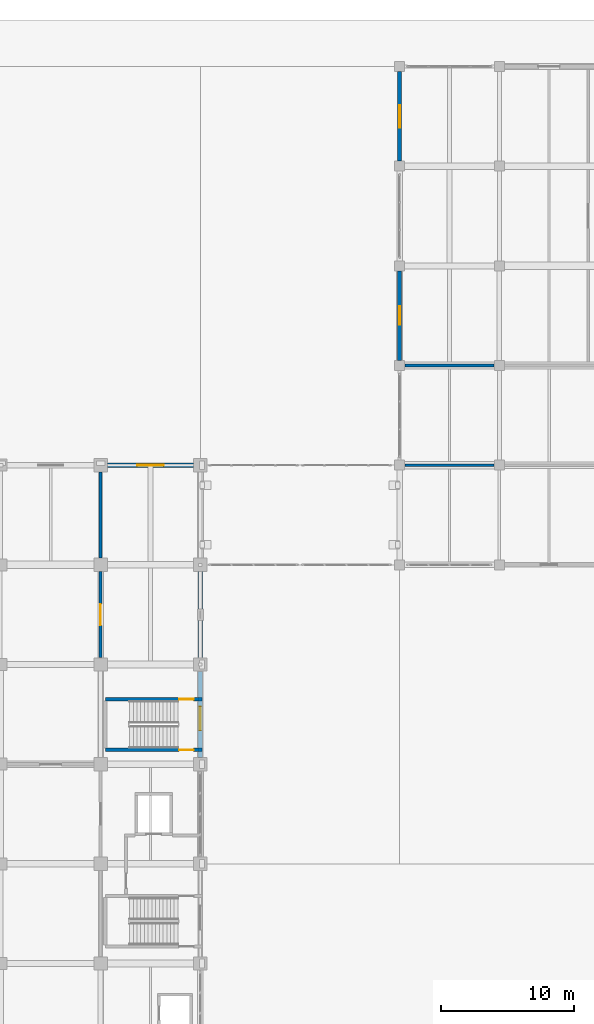
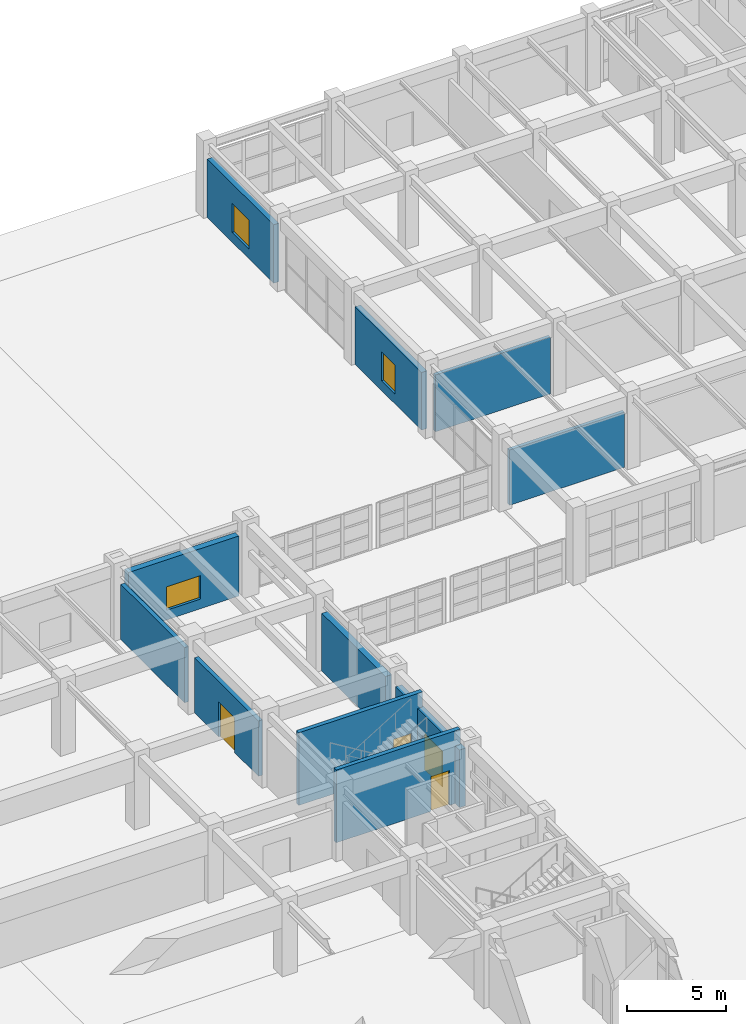
# One storey, part 93 of 122: 11 walls, 4 doors, 3 windows, 7 openings.
"""IFC4 building model written with IfcOpenShell, lengths in metres."""

import ifcopenshell
import ifcopenshell.guid

model = None  # the IFC model being written
_history = None  # IfcOwnerHistory: only IFC2X3 demands one
_inside = {}  # id of a spatial element -> (the spatial element, [elements in it])
_under = {}  # id of a project, library or spatial element -> (it, [spatial elements below it])
_declared = {}  # id of a project -> (the project, [libraries it declares])
_typed = {}  # id of a type object -> (the type object, [elements of that type])
_made_of = {}  # id of a material, layer set ... -> (it, [elements and type objects made of it])


def new_model(schema):
    """Start an empty IFC model of exactly this schema.

    Asked for "IFC4X3", IfcOpenShell would pick the latest addendum, in which some entities
    have other attributes; the version numbers below select the first issue.
    IFC2X3 requires an IfcOwnerHistory on every rooted entity: one is made here for all.
    """
    global model, _history
    if schema == "IFC4X3":
        model = ifcopenshell.file(schema_version=(4, 3, 0, 0))
    else:
        model = ifcopenshell.file(schema=schema)
    _inside.clear()
    _under.clear()
    _declared.clear()
    _typed.clear()
    _made_of.clear()
    _history = None
    if model.schema == "IFC2X3":
        org = make("IfcOrganization", Name="unknown")
        user = make(
            "IfcPersonAndOrganization",
            ThePerson=make("IfcPerson", FamilyName="unknown"),
            TheOrganization=org,
        )
        app = make(
            "IfcApplication",
            ApplicationDeveloper=org,
            Version="unknown",
            ApplicationFullName="unknown",
            ApplicationIdentifier="unknown",
        )
        _history = make(
            "IfcOwnerHistory",
            OwningUser=user,
            OwningApplication=app,
            ChangeAction="ADDED",
            CreationDate=0,
        )
    return model


def make(cls, **values):
    """One entity of the class cls with the attributes given. An attribute that is None is left unset."""
    return model.create_entity(
        cls, **{name: value for name, value in values.items() if value is not None}
    )


def rooted(cls, **values):
    """An entity with a GlobalId (a new one), such as an element, a storey or a relation."""
    return make(cls, GlobalId=ifcopenshell.guid.new(), OwnerHistory=_history, **values)


def si_unit(unit_type, name, prefix=None):
    """IfcSIUnit, for example si_unit("LENGTHUNIT", "METRE", prefix="MILLI")."""
    return make("IfcSIUnit", UnitType=unit_type, Prefix=prefix, Name=name)


def assignment(units):
    """IfcUnitAssignment: the units of a project."""
    return None if units is None else make("IfcUnitAssignment", Units=units)


def point(xyz):
    """IfcCartesianPoint."""
    return None if xyz is None else make("IfcCartesianPoint", Coordinates=xyz)


def direction(xyz):
    """IfcDirection."""
    return None if xyz is None else make("IfcDirection", DirectionRatios=xyz)


def frame(location, z_axis=None, x_axis=None):
    """IfcAxis2Placement3D, a coordinate frame: its origin and axes. An axis left out is left unset."""
    return make(
        "IfcAxis2Placement3D",
        Location=point(location),
        Axis=direction(z_axis),
        RefDirection=direction(x_axis),
    )


def frame_2d(location, x_axis=None):
    """IfcAxis2Placement2D, a coordinate frame in the plane: its origin and x axis."""
    return make(
        "IfcAxis2Placement2D", Location=point(location), RefDirection=direction(x_axis)
    )


def origin():
    """The frame at (0, 0, 0) with its axes left unset."""
    return frame((0.0, 0.0, 0.0))


def place(relative_to, where):
    """IfcLocalPlacement: puts the frame where relative to a parent placement (None: the world)."""
    return make(
        "IfcLocalPlacement", PlacementRelTo=relative_to, RelativePlacement=where
    )


def context(
    kind, dimensions, precision=None, world=None, true_north=None, identifier=None
):
    """IfcGeometricRepresentationContext, for example the 3D "Model" context."""
    return make(
        "IfcGeometricRepresentationContext",
        ContextIdentifier=identifier,
        ContextType=kind,
        CoordinateSpaceDimension=dimensions,
        Precision=precision,
        WorldCoordinateSystem=world,
        TrueNorth=true_north,
    )


def subcontext(parent, identifier, kind, view, scale=None):
    """IfcGeometricRepresentationSubContext, for example "Body" below "Model"."""
    return make(
        "IfcGeometricRepresentationSubContext",
        ContextIdentifier=identifier,
        ContextType=kind,
        ParentContext=parent,
        TargetScale=scale,
        TargetView=view,
    )


def project(units=None, contexts=None):
    """IfcProject with its units and contexts."""
    return rooted(
        "IfcProject",
        Name="project",
        RepresentationContexts=contexts,
        UnitsInContext=assignment(units),
    )


def spatial(cls, under=None, at=None, **own):
    """A site, building, storey or space (cls), placed at a placement, below another one or the project."""
    s = rooted(cls, ObjectPlacement=at, **own)
    if under is not None:
        _under.setdefault(under.id(), (under, []))[1].append(s)
    return s


def profile(cls, at=None, kind="AREA", **sizes):
    """A parametric profile (cls). Its sizes go by their IFC names, for example OverallWidth=200.0."""
    return make(cls, ProfileType=kind, Position=at, **sizes)


def rectangle(**sizes):
    """IfcRectangleProfileDef."""
    return profile("IfcRectangleProfileDef", **sizes)


def extrude(swept, where, along, depth):
    """IfcExtrudedAreaSolid: the profile swept, set in the frame where, extruded along a direction by depth."""
    return make(
        "IfcExtrudedAreaSolid",
        SweptArea=swept,
        Position=where,
        ExtrudedDirection=direction(along),
        Depth=depth,
    )


def shape(context_of_items, identifier, shape_type, items):
    """IfcShapeRepresentation: the items that make up one representation, for example the "Body"."""
    return make(
        "IfcShapeRepresentation",
        ContextOfItems=context_of_items,
        RepresentationIdentifier=identifier,
        RepresentationType=shape_type,
        Items=items,
    )


def material(Name=None, Category=None):
    """IfcMaterial."""
    return make("IfcMaterial", Name=Name, Category=Category)


def layer(
    of_material, thickness, ventilated=None, Name=None, Category=None, Priority=None
):
    """IfcMaterialLayer: one layer of a wall or slab, of a material (None: an air gap)."""
    return make(
        "IfcMaterialLayer",
        Material=of_material,
        LayerThickness=thickness,
        IsVentilated=ventilated,
        Name=Name,
        Category=Category,
        Priority=Priority,
    )


def layer_set(layers, Name=None):
    """IfcMaterialLayerSet."""
    return make("IfcMaterialLayerSet", MaterialLayers=layers, LayerSetName=Name)


def made_of(thing, what):
    """Note that an element or type object is made of a material, layer set ...; save() writes the relation."""
    if what is not None:
        _made_of.setdefault(what.id(), (what, []))[1].append(thing)
    return thing


def type_object(cls, material=None, **own):
    """A type object (cls), such as IfcWallType, which elements share."""
    return made_of(rooted(cls, **own), material)


def element(
    cls,
    number,
    at=None,
    inside=None,
    cuts=None,
    type_object=None,
    material=None,
    context=None,
    identifier="Body",
    shape_type=None,
    held_by="IfcProductDefinitionShape",
    body=None,
    shapes=None,
    **own,
):
    """One element of the class cls, such as IfcWall. Its Tag is "e" and its number.

    at: its placement. inside: the storey or other place that contains it. cuts: it is an
    opening in that element (IfcRelVoidsElement). A single representation is given by context,
    identifier, shape_type and body (its items); several are given by shapes. held_by: the class
    of the entity that holds the representations. save() writes the other relations.
    """
    e = rooted(cls, Tag="e%d" % number, ObjectPlacement=at, **own)
    if body is not None:
        shapes = [shape(context, identifier, shape_type, body)]
    if shapes is not None:
        e.Representation = make(held_by, Representations=shapes)
    if inside is not None:
        _inside.setdefault(inside.id(), (inside, []))[1].append(e)
    if cuts is not None:
        rooted(
            "IfcRelVoidsElement", RelatingBuildingElement=cuts, RelatedOpeningElement=e
        )
    if type_object is not None:
        _typed.setdefault(type_object.id(), (type_object, []))[1].append(e)
    return made_of(e, material)


def fill(opening, filler):
    """IfcRelFillsElement: the door or window that sits in an opening."""
    return rooted(
        "IfcRelFillsElement",
        RelatingOpeningElement=opening,
        RelatedBuildingElement=filler,
    )


def aggregate(whole, parts):
    """IfcRelAggregates: a whole, such as a stair, and the parts it consists of."""
    return rooted("IfcRelAggregates", RelatingObject=whole, RelatedObjects=parts)


def save(model, path):
    """Write the relations noted so far, then the file.

    IfcRelAggregates (storeys below a building ...), IfcRelContainedInSpatialStructure (elements
    in a storey), IfcRelDefinesByType, IfcRelAssociatesMaterial and IfcRelDeclares: one each for
    every whole, place, type object, material and project.
    """
    for whole, parts in _under.values():
        aggregate(whole, parts)
    for where, things in _inside.values():
        rooted(
            "IfcRelContainedInSpatialStructure",
            RelatedElements=things,
            RelatingStructure=where,
        )
    for kind, things in _typed.values():
        rooted("IfcRelDefinesByType", RelatedObjects=things, RelatingType=kind)
    for what, things in _made_of.values():
        rooted("IfcRelAssociatesMaterial", RelatedObjects=things, RelatingMaterial=what)
    for by, libraries in _declared.values():
        rooted("IfcRelDeclares", RelatingContext=by, RelatedDefinitions=libraries)
    model.write(path)


model = new_model("IFC4")

# Units and contexts
model_context = context("Model", 3, precision=1e-05, world=origin(), true_north=direction((0.0, 1.0)))
body_context = subcontext(model_context, "Body", "Model", "MODEL_VIEW")
ifc_project = project(units=[si_unit("LENGTHUNIT", "METRE"), si_unit("AREAUNIT", "SQUARE_METRE"), si_unit("VOLUMEUNIT", "CUBIC_METRE"), si_unit("PLANEANGLEUNIT", "RADIAN"), si_unit("MASSUNIT", "GRAM", prefix="KILO")], contexts=[model_context])

# Site, building, storey
site_placement = place(None, origin())
site = spatial("IfcSite", under=ifc_project, at=site_placement, CompositionType="ELEMENT")
building_placement = place(site_placement, origin())
building = spatial("IfcBuilding", under=site, at=building_placement, Name="Qasida Concert Hall", CompositionType="ELEMENT")
storey_placement = place(building_placement, origin())
storey = spatial("IfcBuildingStorey", under=building, at=storey_placement, Name="L00", CompositionType="ELEMENT", Elevation=0.0)

# Wall, opening, door
ifc_material_1 = material(Name="Concrete C40/50", Category="concrete")
ifc_layer_1 = layer(ifc_material_1, 0.25, Name="Concrete C40/50")
ifc_layer_set_1 = layer_set([ifc_layer_1], Name="Concrete C40/50")
wall_type_1 = type_object("IfcWallType", Name="WL-CW-250", PredefinedType="SOLIDWALL", material=ifc_layer_set_1)
wall_1_placement = place(storey_placement, frame((97.860107421875, 61.074951171875, 0.0), z_axis=(0.0, 0.0, 1.0), x_axis=(1.0, 0.0, 0.0)))
wall_1 = element("IfcWall", 1, at=wall_1_placement, inside=storey, type_object=wall_type_1, Name="L00 ST-12 stairwell wall S", PredefinedType="SOLIDWALL", context=body_context, shape_type="SweptSolid", body=[
    extrude(rectangle(XDim=7.260009765625, YDim=0.25, at=frame_2d((3.6298828125, 0.0))), origin(), (0.0, 0.0, 1.0), 4.5),
])
opening_1_placement = place(wall_1_placement, frame((5.5400390625, 0.0, 0.0)))
opening_1 = element("IfcOpeningElement", 2, at=opening_1_placement, cuts=wall_1, Name="Opening FD-110", PredefinedType="OPENING", context=body_context, shape_type="SweptSolid", body=[
    extrude(rectangle(XDim=1.10009765625, YDim=2.14990234375, at=frame_2d((0.550048828125, 1.074951171875))), frame((0.0, 0.135009765625, 0.0), z_axis=(0.0, -1.0, 0.0), x_axis=(1.0, 0.0, 0.0)), (0.0, 0.0, 1.0), 0.27001953125),
])
ifc_material_2 = material(Name="Steel fire-rated stair/lobby door set", Category="steel")
door_type_1 = type_object("IfcDoorType", Name="FD-110", OperationType="NOTDEFINED", PredefinedType="DOOR", material=ifc_material_2)
door_1_placement = place(opening_1_placement, origin())
door_1 = element("IfcDoor", 3, at=door_1_placement, inside=storey, type_object=door_type_1, Name="L00 ST-12 rated stair door", OperationType="SINGLE_SWING_LEFT", OverallHeight=2.14990234375, OverallWidth=1.10009765625, PredefinedType="DOOR", context=body_context, shape_type="SweptSolid", body=[
    extrude(rectangle(XDim=1.10009765625, YDim=2.14990234375, at=frame_2d((0.550048828125, 1.074951171875))), frame((0.0, 0.02490234375, 0.0), z_axis=(0.0, -1.0, 0.0), x_axis=(1.0, 0.0, 0.0)), (0.0, 0.0, 1.0), 0.050048828125),
])
fill(opening_1, door_1)

wall_2_placement = place(storey_placement, frame((97.860107421875, 64.885009765625, 0.0), z_axis=(0.0, 0.0, 1.0), x_axis=(1.0, 0.0, 0.0)))
wall_2 = element("IfcWall", 4, at=wall_2_placement, inside=storey, type_object=wall_type_1, Name="L00 ST-12 stairwell wall N", PredefinedType="SOLIDWALL", context=body_context, shape_type="SweptSolid", body=[
    extrude(rectangle(XDim=7.260009765625, YDim=0.25, at=frame_2d((3.6298828125, 0.0))), origin(), (0.0, 0.0, 1.0), 4.5),
])
opening_2_placement = place(wall_2_placement, frame((5.5400390625, 0.0, 0.0)))
opening_2 = element("IfcOpeningElement", 5, at=opening_2_placement, cuts=wall_2, Name="Opening FD-110", PredefinedType="OPENING", context=body_context, shape_type="SweptSolid", body=[
    extrude(rectangle(XDim=1.10009765625, YDim=2.14990234375, at=frame_2d((0.550048828125, 1.074951171875))), frame((0.0, 0.135009765625, 0.0), z_axis=(0.0, -1.0, 0.0), x_axis=(1.0, 0.0, 0.0)), (0.0, 0.0, 1.0), 0.27001953125),
])
door_2_placement = place(opening_2_placement, frame((1.10009765625, 0.0, 0.0), z_axis=(0.0, 0.0, 1.0), x_axis=(-1.0, 0.0, 0.0)))
door_2 = element("IfcDoor", 6, at=door_2_placement, inside=storey, type_object=door_type_1, Name="L00 ST-12 rated stair door", OperationType="SINGLE_SWING_RIGHT", OverallHeight=2.14990234375, OverallWidth=1.10009765625, PredefinedType="DOOR", context=body_context, shape_type="SweptSolid", body=[
    extrude(rectangle(XDim=1.10009765625, YDim=2.14990234375, at=frame_2d((0.550048828125, 1.074951171875))), frame((0.0, 0.02490234375, 0.0), z_axis=(0.0, -1.0, 0.0), x_axis=(1.0, 0.0, 0.0)), (0.0, 0.0, 1.0), 0.050048828125),
])
fill(opening_2, door_2)

# Wall, opening, window
ifc_material_3 = material(Name="Precast concrete C40/50", Category="concrete")
ifc_layer_2 = layer(ifc_material_3, 0.320068359375, Name="Precast concrete C40/50")
ifc_layer_set_2 = layer_set([ifc_layer_2], Name="Precast concrete C40/50")
wall_type_2 = type_object("IfcWallType", Name="WL-EW-320", PredefinedType="SOLIDWALL", material=ifc_layer_set_2)
wall_3_placement = place(storey_placement, frame((120.0, 90.385009765625, 0.0), z_axis=(0.0, 0.0, 1.0), x_axis=(0.0, 1.0, 0.0)))
wall_3 = element("IfcWall", 7, at=wall_3_placement, inside=storey, type_object=wall_type_2, Name="L00 exterior wall EW-320 0183", PredefinedType="SOLIDWALL", context=body_context, shape_type="SweptSolid", body=[
    extrude(rectangle(XDim=6.72998046875, YDim=0.320068359375, at=frame_2d((3.364990234375, 0.0))), origin(), (0.0, 0.0, 1.0), 3.570068359375),
])
opening_3_placement = place(wall_3_placement, frame((2.6650390625, 0.0, 0.60009765625)))
opening_3 = element("IfcOpeningElement", 8, at=opening_3_placement, cuts=wall_3, Name="Opening WN-03", PredefinedType="OPENING", context=body_context, shape_type="SweptSolid", body=[
    extrude(rectangle(XDim=1.39990234375, YDim=1.800048828125, at=frame_2d((0.699951171875, 0.89990234375))), frame((0.0, 0.169921875, 0.0), z_axis=(0.0, -1.0, 0.0), x_axis=(1.0, 0.0, 0.0)), (0.0, 0.0, 1.0), 0.340087890625),
])
ifc_material_4 = material(Name="Bronze-anodized aluminium frame with acoustic low-E glazing", Category="aluminium")
window_type_1 = type_object("IfcWindowType", Name="WN-03", PartitioningType="SINGLE_PANEL", PredefinedType="WINDOW", material=ifc_material_4)
window_1_placement = place(opening_3_placement, origin())
window_1 = element("IfcWindow", 9, at=window_1_placement, inside=storey, type_object=window_type_1, Name="L00 window WN-03 0089", OverallHeight=1.800048828125, OverallWidth=1.39990234375, PartitioningType="SINGLE_PANEL", PredefinedType="WINDOW", context=body_context, shape_type="SweptSolid", body=[
    extrude(rectangle(XDim=1.39990234375, YDim=1.800048828125, at=frame_2d((0.699951171875, 0.89990234375))), frame((0.0, 0.030029296875, 0.0), z_axis=(0.0, -1.0, 0.0), x_axis=(1.0, 0.0, 0.0)), (0.0, 0.0, 1.0), 0.06005859375),
])
fill(opening_3, window_1)

wall_4_placement = place(storey_placement, frame((120.0, 105.385009765625, 0.0), z_axis=(0.0, 0.0, 1.0), x_axis=(0.0, 1.0, 0.0)))
wall_4 = element("IfcWall", 10, at=wall_4_placement, inside=storey, type_object=wall_type_2, Name="L00 exterior wall EW-320 0185", PredefinedType="SOLIDWALL", context=body_context, shape_type="SweptSolid", body=[
    extrude(rectangle(XDim=6.72998046875, YDim=0.320068359375, at=frame_2d((3.364990234375, 0.0))), origin(), (0.0, 0.0, 1.0), 3.6201171875),
])
opening_4_placement = place(wall_4_placement, frame((2.514892578125, 0.0, 0.60009765625)))
opening_4 = element("IfcOpeningElement", 11, at=opening_4_placement, cuts=wall_4, Name="Opening WN-05", PredefinedType="OPENING", context=body_context, shape_type="SweptSolid", body=[
    extrude(rectangle(XDim=1.699951171875, YDim=1.800048828125, at=frame_2d((0.85009765625, 0.89990234375))), frame((0.0, 0.169921875, 0.0), z_axis=(0.0, -1.0, 0.0), x_axis=(1.0, 0.0, 0.0)), (0.0, 0.0, 1.0), 0.340087890625),
])
window_type_2 = type_object("IfcWindowType", Name="WN-05", PartitioningType="SINGLE_PANEL", PredefinedType="WINDOW", material=ifc_material_4)
window_2_placement = place(opening_4_placement, origin())
window_2 = element("IfcWindow", 12, at=window_2_placement, inside=storey, type_object=window_type_2, Name="L00 window WN-05 0090", OverallHeight=1.800048828125, OverallWidth=1.699951171875, PartitioningType="SINGLE_PANEL", PredefinedType="WINDOW", context=body_context, shape_type="SweptSolid", body=[
    extrude(rectangle(XDim=1.699951171875, YDim=1.800048828125, at=frame_2d((0.85009765625, 0.89990234375))), frame((0.0, 0.030029296875, 0.0), z_axis=(0.0, -1.0, 0.0), x_axis=(1.0, 0.0, 0.0)), (0.0, 0.0, 1.0), 0.06005859375),
])
fill(opening_4, window_2)

# Wall, opening, door
ifc_layer_3 = layer(ifc_material_3, 0.360107421875, Name="Precast concrete C40/50")
ifc_layer_set_3 = layer_set([ifc_layer_3], Name="Precast concrete C40/50")
wall_type_3 = type_object("IfcWallType", Name="WL-EW-360", PredefinedType="SOLIDWALL", material=ifc_layer_set_3)
wall_5_placement = place(storey_placement, frame((105.0, 60.514892578125, 0.0), z_axis=(0.0, 0.0, 1.0), x_axis=(0.0, 1.0, 0.0)))
wall_5 = element("IfcWall", 13, at=wall_5_placement, inside=storey, type_object=wall_type_3, Name="L00 exterior wall EW-360 0021", PredefinedType="SOLIDWALL", context=body_context, shape_type="SweptSolid", body=[
    extrude(rectangle(XDim=6.47021484375, YDim=0.360107421875, at=frame_2d((3.235107421875, 0.0))), origin(), (0.0, 0.0, 1.0), 3.570068359375),
])
opening_5_placement = place(wall_5_placement, frame((2.02197265625, 0.0, 0.0)))
opening_5 = element("IfcOpeningElement", 14, at=opening_5_placement, cuts=wall_5, Name="Opening ED-180", PredefinedType="OPENING", context=body_context, shape_type="SweptSolid", body=[
    extrude(rectangle(XDim=1.800048828125, YDim=2.199951171875, at=frame_2d((0.89990234375, 1.10009765625))), frame((0.0, 0.18994140625, 0.0), z_axis=(0.0, -1.0, 0.0), x_axis=(1.0, 0.0, 0.0)), (0.0, 0.0, 1.0), 0.380126953125),
])
ifc_material_5 = material(Name="Patinated architectural bronze and laminated safety glass", Category="glass")
door_type_2 = type_object("IfcDoorType", Name="ED-180", OperationType="NOTDEFINED", PredefinedType="DOOR", material=ifc_material_5)
door_3_placement = place(opening_5_placement, frame((1.800048828125, 0.0, 0.0), z_axis=(0.0, 0.0, 1.0), x_axis=(-1.0, 0.0, 0.0)))
door_3 = element("IfcDoor", 15, at=door_3_placement, inside=storey, type_object=door_type_2, Name="Exit stair ST-12 final discharge door", OperationType="SINGLE_SWING_LEFT", OverallHeight=2.199951171875, OverallWidth=1.800048828125, PredefinedType="DOOR", context=body_context, shape_type="SweptSolid", body=[
    extrude(rectangle(XDim=1.800048828125, YDim=2.199951171875, at=frame_2d((0.89990234375, 1.10009765625))), frame((0.0, 0.02490234375, 0.0), z_axis=(0.0, -1.0, 0.0), x_axis=(1.0, 0.0, 0.0)), (0.0, 0.0, 1.0), 0.050048828125),
])
fill(opening_5, door_3)

# Wall
wall_6_placement = place(storey_placement, frame((105.0, 68.014892578125, 0.0), z_axis=(0.0, 0.0, 1.0), x_axis=(0.0, 1.0, 0.0)))
element("IfcWall", 16, at=wall_6_placement, inside=storey, type_object=wall_type_3, Name="L00 exterior wall EW-360 0023", PredefinedType="SOLIDWALL", context=body_context, shape_type="SweptSolid", body=[
    extrude(rectangle(XDim=6.47021484375, YDim=0.360107421875, at=frame_2d((3.235107421875, 0.0))), origin(), (0.0, 0.0, 1.0), 3.570068359375),
])

# Wall, opening, window
wall_7_placement = place(storey_placement, frame((98.014892578125, 82.5, 0.0), z_axis=(0.0, 0.0, 1.0), x_axis=(1.0, 0.0, 0.0)))
wall_7 = element("IfcWall", 17, at=wall_7_placement, inside=storey, type_object=wall_type_3, Name="L00 exterior wall EW-360 0030", PredefinedType="SOLIDWALL", context=body_context, shape_type="SweptSolid", body=[
    extrude(rectangle(XDim=6.47021484375, YDim=0.360107421875, at=frame_2d((3.235107421875, 0.0))), origin(), (0.0, 0.0, 1.0), 3.719970703125),
])
opening_6_placement = place(wall_7_placement, frame((2.235107421875, 0.0, 0.60009765625)))
opening_6 = element("IfcOpeningElement", 18, at=opening_6_placement, cuts=wall_7, Name="Opening WN-07", PredefinedType="OPENING", context=body_context, shape_type="SweptSolid", body=[
    extrude(rectangle(XDim=2.0, YDim=1.449951171875, at=frame_2d((1.0, 0.72509765625))), frame((0.0, 0.18994140625, 0.0), z_axis=(0.0, -1.0, 0.0), x_axis=(1.0, 0.0, 0.0)), (0.0, 0.0, 1.0), 0.380126953125),
])
window_type_3 = type_object("IfcWindowType", Name="WN-07", PartitioningType="SINGLE_PANEL", PredefinedType="WINDOW", material=ifc_material_4)
window_3_placement = place(opening_6_placement, origin())
window_3 = element("IfcWindow", 19, at=window_3_placement, inside=storey, type_object=window_type_3, Name="L00 window WN-07 0009", OverallHeight=1.449951171875, OverallWidth=2.0, PartitioningType="SINGLE_PANEL", PredefinedType="WINDOW", context=body_context, shape_type="SweptSolid", body=[
    extrude(rectangle(XDim=2.0, YDim=1.449951171875, at=frame_2d((1.0, 0.72509765625))), frame((0.0, 0.030029296875, 0.0), z_axis=(0.0, -1.0, 0.0), x_axis=(1.0, 0.0, 0.0)), (0.0, 0.0, 1.0), 0.06005859375),
])
fill(opening_6, window_3)

# Walls
ifc_material_6 = material(Name="Acoustic gypsum block and mineral wool", Category="gypsum")
ifc_layer_4 = layer(ifc_material_6, 0.199951171875, Name="Acoustic gypsum block and mineral wool")
ifc_layer_set_4 = layer_set([ifc_layer_4], Name="Acoustic gypsum block and mineral wool")
wall_type_4 = type_object("IfcWallType", Name="WL-PW-200", PredefinedType="PARTITIONING", material=ifc_layer_set_4)
wall_8_placement = place(storey_placement, frame((120.388916015625, 82.5, 0.0), z_axis=(0.0, 0.0, 1.0), x_axis=(1.0, 0.0, 0.0)))
element("IfcWall", 20, at=wall_8_placement, inside=storey, type_object=wall_type_4, Name="L00 partition PW-200 0547", PredefinedType="PARTITIONING", context=body_context, shape_type="SweptSolid", body=[
    extrude(rectangle(XDim=6.72216796875, YDim=0.199951171875, at=frame_2d((3.361083984375, 0.0))), origin(), (0.0, 0.0, 1.0), 3.419921875),
])
wall_9_placement = place(storey_placement, frame((120.388916015625, 90.0, 0.0), z_axis=(0.0, 0.0, 1.0), x_axis=(1.0, 0.0, 0.0)))
element("IfcWall", 21, at=wall_9_placement, inside=storey, type_object=wall_type_4, Name="L00 partition PW-200 0551", PredefinedType="PARTITIONING", context=body_context, shape_type="SweptSolid", body=[
    extrude(rectangle(XDim=6.72216796875, YDim=0.199951171875, at=frame_2d((3.361083984375, 0.0))), origin(), (0.0, 0.0, 1.0), 3.52001953125),
])

# Wall, opening, door
ifc_material_7 = material(Name="Double-stud acoustic gypsum and mineral wool", Category="gypsum")
ifc_layer_5 = layer(ifc_material_7, 0.239990234375, Name="Double-stud acoustic gypsum and mineral wool")
ifc_layer_set_5 = layer_set([ifc_layer_5], Name="Double-stud acoustic gypsum and mineral wool")
wall_type_5 = type_object("IfcWallType", Name="WL-PW-240", PredefinedType="PARTITIONING", material=ifc_layer_set_5)
wall_10_placement = place(storey_placement, frame((97.5, 68.013916015625, 0.0), z_axis=(0.0, 0.0, 1.0), x_axis=(0.0, 1.0, 0.0)))
wall_10 = element("IfcWall", 22, at=wall_10_placement, inside=storey, type_object=wall_type_5, Name="L00 partition PW-240 0427", PredefinedType="PARTITIONING", context=body_context, shape_type="SweptSolid", body=[
    extrude(rectangle(XDim=6.47216796875, YDim=0.239990234375, at=frame_2d((3.236083984375, 0.0))), origin(), (0.0, 0.0, 1.0), 3.419921875),
])
opening_7_placement = place(wall_10_placement, frame((2.43603515625, 0.0, 0.0)))
opening_7 = element("IfcOpeningElement", 23, at=opening_7_placement, cuts=wall_10, Name="Opening FD-160", PredefinedType="OPENING", context=body_context, shape_type="SweptSolid", body=[
    extrude(rectangle(XDim=1.60009765625, YDim=2.14990234375, at=frame_2d((0.800048828125, 1.074951171875))), frame((0.0, 0.1298828125, 0.0), z_axis=(0.0, -1.0, 0.0), x_axis=(1.0, 0.0, 0.0)), (0.0, 0.0, 1.0), 0.260009765625),
])
ifc_material_8 = material(Name="Double-leaf acoustic fire door", Category="steel")
door_type_3 = type_object("IfcDoorType", Name="FD-160", OperationType="NOTDEFINED", PredefinedType="DOOR", material=ifc_material_8)
door_4_placement = place(opening_7_placement, origin())
door_4 = element("IfcDoor", 24, at=door_4_placement, inside=storey, type_object=door_type_3, Name="L00 Symphony east stage crossover door", OperationType="SINGLE_SWING_LEFT", OverallHeight=2.14990234375, OverallWidth=1.60009765625, PredefinedType="DOOR", context=body_context, shape_type="SweptSolid", body=[
    extrude(rectangle(XDim=1.60009765625, YDim=2.14990234375, at=frame_2d((0.800048828125, 1.074951171875))), frame((0.0, 0.02490234375, 0.0), z_axis=(0.0, -1.0, 0.0), x_axis=(1.0, 0.0, 0.0)), (0.0, 0.0, 1.0), 0.050048828125),
])
fill(opening_7, door_4)

# Wall
wall_11_placement = place(storey_placement, frame((97.5, 75.513916015625, 0.0), z_axis=(0.0, 0.0, 1.0), x_axis=(0.0, 1.0, 0.0)))
element("IfcWall", 25, at=wall_11_placement, inside=storey, type_object=wall_type_5, Name="L00 partition PW-240 0428", PredefinedType="PARTITIONING", context=body_context, shape_type="SweptSolid", body=[
    extrude(rectangle(XDim=6.47216796875, YDim=0.239990234375, at=frame_2d((3.236083984375, 0.0))), origin(), (0.0, 0.0, 1.0), 3.419921875),
])

save(model, "model.ifc")
